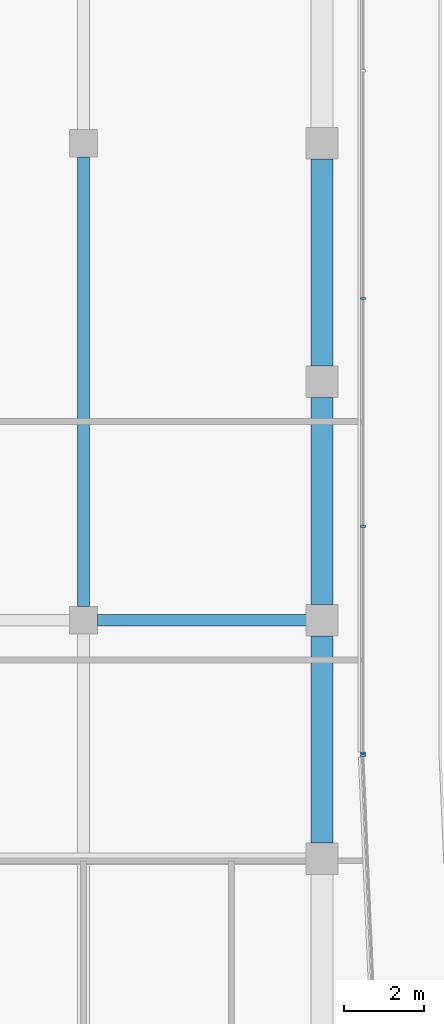
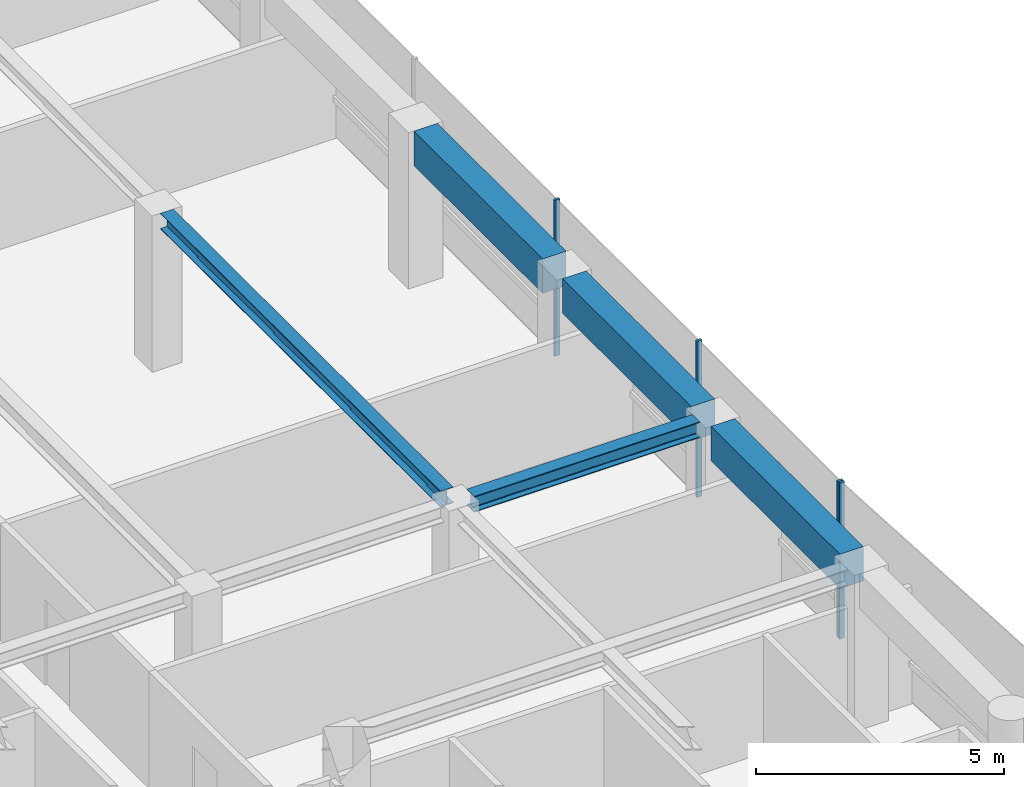
# One storey, part 10 of 21: 5 beams, 4 members, 2 elements without a shape of their own.
"""IFC4 building model written with IfcOpenShell, lengths in metres."""

import ifcopenshell
import ifcopenshell.guid

model = None  # the IFC model being written
_history = None  # IfcOwnerHistory: only IFC2X3 demands one
_inside = {}  # id of a spatial element -> (the spatial element, [elements in it])
_under = {}  # id of a project, library or spatial element -> (it, [spatial elements below it])
_declared = {}  # id of a project -> (the project, [libraries it declares])
_typed = {}  # id of a type object -> (the type object, [elements of that type])
_made_of = {}  # id of a material, layer set ... -> (it, [elements and type objects made of it])


def new_model(schema):
    """Start an empty IFC model of exactly this schema.

    Asked for "IFC4X3", IfcOpenShell would pick the latest addendum, in which some entities
    have other attributes; the version numbers below select the first issue.
    IFC2X3 requires an IfcOwnerHistory on every rooted entity: one is made here for all.
    """
    global model, _history
    if schema == "IFC4X3":
        model = ifcopenshell.file(schema_version=(4, 3, 0, 0))
    else:
        model = ifcopenshell.file(schema=schema)
    _inside.clear()
    _under.clear()
    _declared.clear()
    _typed.clear()
    _made_of.clear()
    _history = None
    if model.schema == "IFC2X3":
        org = make("IfcOrganization", Name="unknown")
        user = make(
            "IfcPersonAndOrganization",
            ThePerson=make("IfcPerson", FamilyName="unknown"),
            TheOrganization=org,
        )
        app = make(
            "IfcApplication",
            ApplicationDeveloper=org,
            Version="unknown",
            ApplicationFullName="unknown",
            ApplicationIdentifier="unknown",
        )
        _history = make(
            "IfcOwnerHistory",
            OwningUser=user,
            OwningApplication=app,
            ChangeAction="ADDED",
            CreationDate=0,
        )
    return model


def make(cls, **values):
    """One entity of the class cls with the attributes given. An attribute that is None is left unset."""
    return model.create_entity(
        cls, **{name: value for name, value in values.items() if value is not None}
    )


def rooted(cls, **values):
    """An entity with a GlobalId (a new one), such as an element, a storey or a relation."""
    return make(cls, GlobalId=ifcopenshell.guid.new(), OwnerHistory=_history, **values)


def si_unit(unit_type, name, prefix=None):
    """IfcSIUnit, for example si_unit("LENGTHUNIT", "METRE", prefix="MILLI")."""
    return make("IfcSIUnit", UnitType=unit_type, Prefix=prefix, Name=name)


def assignment(units):
    """IfcUnitAssignment: the units of a project."""
    return None if units is None else make("IfcUnitAssignment", Units=units)


def point(xyz):
    """IfcCartesianPoint."""
    return None if xyz is None else make("IfcCartesianPoint", Coordinates=xyz)


def direction(xyz):
    """IfcDirection."""
    return None if xyz is None else make("IfcDirection", DirectionRatios=xyz)


def frame(location, z_axis=None, x_axis=None):
    """IfcAxis2Placement3D, a coordinate frame: its origin and axes. An axis left out is left unset."""
    return make(
        "IfcAxis2Placement3D",
        Location=point(location),
        Axis=direction(z_axis),
        RefDirection=direction(x_axis),
    )


def frame_2d(location, x_axis=None):
    """IfcAxis2Placement2D, a coordinate frame in the plane: its origin and x axis."""
    return make(
        "IfcAxis2Placement2D", Location=point(location), RefDirection=direction(x_axis)
    )


def origin():
    """The frame at (0, 0, 0) with its axes left unset."""
    return frame((0.0, 0.0, 0.0))


def origin_2d():
    """The frame at (0, 0) in the plane with its x axis left unset."""
    return frame_2d((0.0, 0.0))


def place(relative_to, where):
    """IfcLocalPlacement: puts the frame where relative to a parent placement (None: the world)."""
    return make(
        "IfcLocalPlacement", PlacementRelTo=relative_to, RelativePlacement=where
    )


def context(
    kind, dimensions, precision=None, world=None, true_north=None, identifier=None
):
    """IfcGeometricRepresentationContext, for example the 3D "Model" context."""
    return make(
        "IfcGeometricRepresentationContext",
        ContextIdentifier=identifier,
        ContextType=kind,
        CoordinateSpaceDimension=dimensions,
        Precision=precision,
        WorldCoordinateSystem=world,
        TrueNorth=true_north,
    )


def subcontext(parent, identifier, kind, view, scale=None):
    """IfcGeometricRepresentationSubContext, for example "Body" below "Model"."""
    return make(
        "IfcGeometricRepresentationSubContext",
        ContextIdentifier=identifier,
        ContextType=kind,
        ParentContext=parent,
        TargetScale=scale,
        TargetView=view,
    )


def project(units=None, contexts=None):
    """IfcProject with its units and contexts."""
    return rooted(
        "IfcProject",
        Name="project",
        RepresentationContexts=contexts,
        UnitsInContext=assignment(units),
    )


def spatial(cls, under=None, at=None, **own):
    """A site, building, storey or space (cls), placed at a placement, below another one or the project."""
    s = rooted(cls, ObjectPlacement=at, **own)
    if under is not None:
        _under.setdefault(under.id(), (under, []))[1].append(s)
    return s


def profile(cls, at=None, kind="AREA", **sizes):
    """A parametric profile (cls). Its sizes go by their IFC names, for example OverallWidth=200.0."""
    return make(cls, ProfileType=kind, Position=at, **sizes)


def rectangle(**sizes):
    """IfcRectangleProfileDef."""
    return profile("IfcRectangleProfileDef", **sizes)


def i_section(**sizes):
    """IfcIShapeProfileDef."""
    return profile("IfcIShapeProfileDef", **sizes)


def extrude(swept, where, along, depth):
    """IfcExtrudedAreaSolid: the profile swept, set in the frame where, extruded along a direction by depth."""
    return make(
        "IfcExtrudedAreaSolid",
        SweptArea=swept,
        Position=where,
        ExtrudedDirection=direction(along),
        Depth=depth,
    )


def shape(context_of_items, identifier, shape_type, items):
    """IfcShapeRepresentation: the items that make up one representation, for example the "Body"."""
    return make(
        "IfcShapeRepresentation",
        ContextOfItems=context_of_items,
        RepresentationIdentifier=identifier,
        RepresentationType=shape_type,
        Items=items,
    )


def material(Name=None, Category=None):
    """IfcMaterial."""
    return make("IfcMaterial", Name=Name, Category=Category)


def layer(
    of_material, thickness, ventilated=None, Name=None, Category=None, Priority=None
):
    """IfcMaterialLayer: one layer of a wall or slab, of a material (None: an air gap)."""
    return make(
        "IfcMaterialLayer",
        Material=of_material,
        LayerThickness=thickness,
        IsVentilated=ventilated,
        Name=Name,
        Category=Category,
        Priority=Priority,
    )


def layer_set(layers, Name=None):
    """IfcMaterialLayerSet."""
    return make("IfcMaterialLayerSet", MaterialLayers=layers, LayerSetName=Name)


def material_profile(
    of_material, cross_section, Name=None, Category=None, Priority=None
):
    """IfcMaterialProfile: a cross section and its material."""
    return make(
        "IfcMaterialProfile",
        Name=Name,
        Material=of_material,
        Profile=cross_section,
        Priority=Priority,
        Category=Category,
    )


def profile_set(profiles, Name=None, composite=None):
    """IfcMaterialProfileSet."""
    return make(
        "IfcMaterialProfileSet",
        Name=Name,
        MaterialProfiles=profiles,
        CompositeProfile=composite,
    )


def made_of(thing, what):
    """Note that an element or type object is made of a material, layer set ...; save() writes the relation."""
    if what is not None:
        _made_of.setdefault(what.id(), (what, []))[1].append(thing)
    return thing


def type_object(cls, material=None, **own):
    """A type object (cls), such as IfcWallType, which elements share."""
    return made_of(rooted(cls, **own), material)


def element(
    cls,
    number,
    at=None,
    inside=None,
    cuts=None,
    type_object=None,
    material=None,
    context=None,
    identifier="Body",
    shape_type=None,
    held_by="IfcProductDefinitionShape",
    body=None,
    shapes=None,
    **own,
):
    """One element of the class cls, such as IfcWall. Its Tag is "e" and its number.

    at: its placement. inside: the storey or other place that contains it. cuts: it is an
    opening in that element (IfcRelVoidsElement). A single representation is given by context,
    identifier, shape_type and body (its items); several are given by shapes. held_by: the class
    of the entity that holds the representations. save() writes the other relations.
    """
    e = rooted(cls, Tag="e%d" % number, ObjectPlacement=at, **own)
    if body is not None:
        shapes = [shape(context, identifier, shape_type, body)]
    if shapes is not None:
        e.Representation = make(held_by, Representations=shapes)
    if inside is not None:
        _inside.setdefault(inside.id(), (inside, []))[1].append(e)
    if cuts is not None:
        rooted(
            "IfcRelVoidsElement", RelatingBuildingElement=cuts, RelatedOpeningElement=e
        )
    if type_object is not None:
        _typed.setdefault(type_object.id(), (type_object, []))[1].append(e)
    return made_of(e, material)


def aggregate(whole, parts):
    """IfcRelAggregates: a whole, such as a stair, and the parts it consists of."""
    return rooted("IfcRelAggregates", RelatingObject=whole, RelatedObjects=parts)


def save(model, path):
    """Write the relations noted so far, then the file.

    IfcRelAggregates (storeys below a building ...), IfcRelContainedInSpatialStructure (elements
    in a storey), IfcRelDefinesByType, IfcRelAssociatesMaterial and IfcRelDeclares: one each for
    every whole, place, type object, material and project.
    """
    for whole, parts in _under.values():
        aggregate(whole, parts)
    for where, things in _inside.values():
        rooted(
            "IfcRelContainedInSpatialStructure",
            RelatedElements=things,
            RelatingStructure=where,
        )
    for kind, things in _typed.values():
        rooted("IfcRelDefinesByType", RelatedObjects=things, RelatingType=kind)
    for what, things in _made_of.values():
        rooted("IfcRelAssociatesMaterial", RelatedObjects=things, RelatingMaterial=what)
    for by, libraries in _declared.values():
        rooted("IfcRelDeclares", RelatingContext=by, RelatedDefinitions=libraries)
    model.write(path)


model = new_model("IFC4")

# Units and contexts
model_context = context("Model", 3, precision=1e-05, world=origin(), true_north=direction((0.0, 1.0)))
body_context = subcontext(model_context, "Body", "Model", "MODEL_VIEW")
ifc_project = project(units=[si_unit("LENGTHUNIT", "METRE"), si_unit("AREAUNIT", "SQUARE_METRE"), si_unit("VOLUMEUNIT", "CUBIC_METRE"), si_unit("PLANEANGLEUNIT", "RADIAN"), si_unit("MASSUNIT", "GRAM", prefix="KILO")], contexts=[model_context])

# Site, building, storey
site_placement = place(None, origin())
site = spatial("IfcSite", under=ifc_project, at=site_placement, CompositionType="ELEMENT")
building_placement = place(site_placement, origin())
building = spatial("IfcBuilding", under=site, at=building_placement, Name="Welwitschia Terrace Campus", CompositionType="ELEMENT")
storey_placement = place(building_placement, frame((0.0, 0.0, 218.0)))
storey = spatial("IfcBuildingStorey", under=building, at=storey_placement, Name="L48", CompositionType="ELEMENT", Elevation=218.0)

# Beams
ifc_material_1 = material(Name="Steel S355", Category="steel")
ifc_material_profile_1 = material_profile(ifc_material_1, i_section(OverallWidth=0.300048828125, OverallDepth=0.389892578125, WebThickness=0.010986328125, FlangeThickness=0.01904296875, FilletRadius=0.027099609375, at=origin_2d()))
ifc_profile_set_1 = profile_set([ifc_material_profile_1], Name="Steel S355")
beam_type_1 = type_object("IfcBeamType", Name="Interior girder HE 400 A", PredefinedType="BEAM", material=ifc_profile_set_1)
beam_1_placement = place(storey_placement, frame((18.3505859375, 40.0, 3.655029296875), z_axis=(1.0, 0.0, 0.0), x_axis=(0.0, 1.0, 0.0)))
element("IfcBeam", 1, at=beam_1_placement, inside=storey, type_object=beam_type_1, Name="Girder GB5", PredefinedType="BEAM", context=body_context, shape_type="SweptSolid", body=[
    extrude(i_section(OverallWidth=0.300048828125, OverallDepth=0.389892578125, WebThickness=0.010986328125, FlangeThickness=0.01904296875, FilletRadius=0.027099609375, at=origin_2d()), origin(), (0.0, 0.0, 1.0), 5.259033203125),
])
beam_2_placement = place(storey_placement, frame((18.0, 40.3505859375, 3.655029296875), z_axis=(0.0, 1.0, 0.0), x_axis=(-1.0, 0.0, 0.0)))
element("IfcBeam", 2, at=beam_2_placement, inside=storey, type_object=beam_type_1, Name="Girder GB5", PredefinedType="BEAM", context=body_context, shape_type="SweptSolid", body=[
    extrude(i_section(OverallWidth=0.300048828125, OverallDepth=0.389892578125, WebThickness=0.010986328125, FlangeThickness=0.01904296875, FilletRadius=0.027099609375, at=origin_2d()), origin(), (0.0, 0.0, 1.0), 11.298828125),
])

# Curtain wall, member
ifc_material_2 = material(Name="Bronze anodised aluminium", Category="aluminium")
ifc_layer = layer(ifc_material_2, 0.1201171875)
ifc_layer_set = layer_set([ifc_layer], Name="Bronze anodised aluminium")
curtain_wall_type = type_object("IfcCurtainWallType", Name="Curtain wall CW2 tower 6000", PredefinedType="NOTDEFINED", material=ifc_layer_set)
curtain_wall_1_placement = place(storey_placement, origin())
curtain_wall_1 = element("IfcCurtainWall", 3, at=curtain_wall_1_placement, inside=storey, type_object=curtain_wall_type, Name="CW L48.5.0", PredefinedType="NOTDEFINED")
ifc_material_3 = material(Name="Bronze anodised aluminium", Category="aluminium")
ifc_material_profile_2 = material_profile(ifc_material_3, rectangle(XDim=0.1201171875, YDim=0.06005859375, at=origin_2d()))
ifc_profile_set_2 = profile_set([ifc_material_profile_2], Name="Bronze anodised aluminium")
member_type = type_object("IfcMemberType", Name="Mullion 60x120", PredefinedType="MULLION", material=ifc_profile_set_2)
member_1_placement = place(storey_placement, frame((25.03125, 36.599365234375, 0.0), z_axis=(0.0, 0.0, 1.0), x_axis=(-0.999048221582, -0.043619387365, 0.0)))
member_1 = element("IfcMember", 4, at=member_1_placement, type_object=member_type, Name="Mullion L48.5.0.1", PredefinedType="MULLION", context=body_context, shape_type="SweptSolid", body=[
    extrude(rectangle(XDim=0.1201171875, YDim=0.06005859375, at=origin_2d()), origin(), (0.0, 0.0, 1.0), 3.85009765625),
])
aggregate(curtain_wall_1, [member_1])

# Curtain wall, members
curtain_wall_2_placement = place(storey_placement, origin())
curtain_wall_2 = element("IfcCurtainWall", 5, at=curtain_wall_2_placement, inside=storey, type_object=curtain_wall_type, Name="CW L48.6.0", PredefinedType="NOTDEFINED")
member_2_placement = place(storey_placement, frame((25.030029296875, 36.659423828125, 0.0), z_axis=(0.0, 0.0, 1.0), x_axis=(-1.0, 0.0, 0.0)))
member_2 = element("IfcMember", 6, at=member_2_placement, type_object=member_type, Name="Mullion L48.6.0.0", PredefinedType="MULLION", context=body_context, shape_type="SweptSolid", body=[
    extrude(rectangle(XDim=0.1201171875, YDim=0.06005859375, at=origin_2d()), origin(), (0.0, 0.0, 1.0), 3.85009765625),
])
member_3_placement = place(storey_placement, frame((25.030029296875, 42.361572265625, 0.0), z_axis=(0.0, 0.0, 1.0), x_axis=(-1.0, 0.0, 0.0)))
member_3 = element("IfcMember", 7, at=member_3_placement, type_object=member_type, Name="Mullion L48.6.0.1", PredefinedType="MULLION", context=body_context, shape_type="SweptSolid", body=[
    extrude(rectangle(XDim=0.1201171875, YDim=0.06005859375, at=origin_2d()), origin(), (0.0, 0.0, 1.0), 3.85009765625),
])
member_4_placement = place(storey_placement, frame((25.030029296875, 48.09375, 0.0), z_axis=(0.0, 0.0, 1.0), x_axis=(-1.0, 0.0, 0.0)))
member_4 = element("IfcMember", 8, at=member_4_placement, type_object=member_type, Name="Mullion L48.6.0.2", PredefinedType="MULLION", context=body_context, shape_type="SweptSolid", body=[
    extrude(rectangle(XDim=0.1201171875, YDim=0.06005859375, at=origin_2d()), origin(), (0.0, 0.0, 1.0), 3.85009765625),
])
aggregate(curtain_wall_2, [member_2, member_3, member_4])

# Beams
ifc_material_4 = material(Name="Concrete C50/60", Category="concrete")
ifc_material_profile_3 = material_profile(ifc_material_4, rectangle(XDim=0.550048828125, YDim=0.85009765625, at=origin_2d()))
ifc_profile_set_3 = profile_set([ifc_material_profile_3], Name="Concrete C50/60")
beam_type_2 = type_object("IfcBeamType", Name="Ring spandrel 550x850", PredefinedType="SPANDREL", material=ifc_profile_set_3)
for number, where, z_axis, x_axis, name in (
    (9, (24.0, 34.400390625, 3.425048828125), (0.0, 1.0, 0.0), (-1.0, 0.0, 0.0), "Spandrel SP3"),
    (10, (24.0, 40.400390625, 3.425048828125), (0.0, 1.0, 0.0), (-1.0, 0.0, 0.0), "Spandrel SP3"),
    (11, (24.0, 46.400390625, 3.425048828125), (0.0, 1.0, 0.0), (-1.0, 0.0, 0.0), "Spandrel SP3"),
):
    element("IfcBeam", number, at=place(storey_placement, frame(where, z_axis=z_axis, x_axis=x_axis)), inside=storey, type_object=beam_type_2, Name=name, PredefinedType="SPANDREL", context=body_context, shape_type="SweptSolid", body=[
        extrude(rectangle(XDim=0.550048828125, YDim=0.85009765625, at=origin_2d()), origin(), (0.0, 0.0, 1.0), 5.19921875),
    ])

save(model, "model.ifc")
